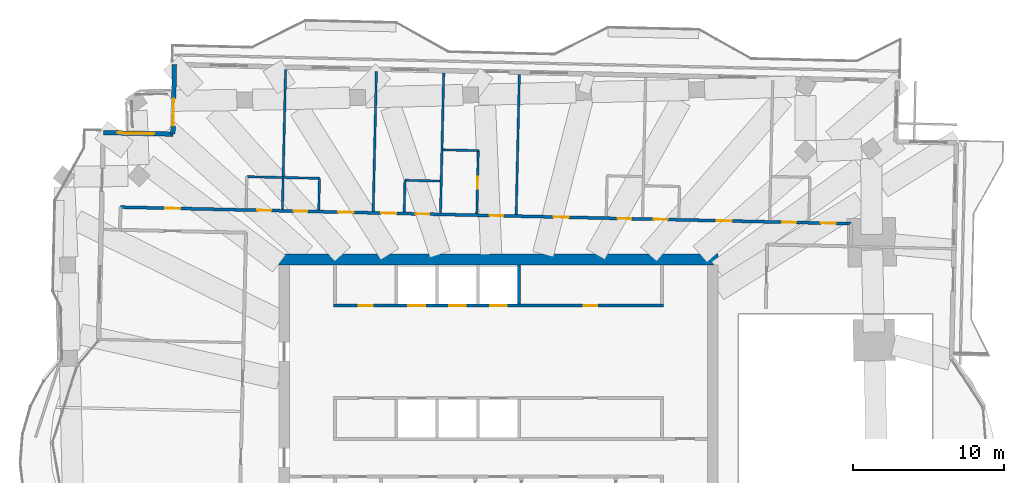
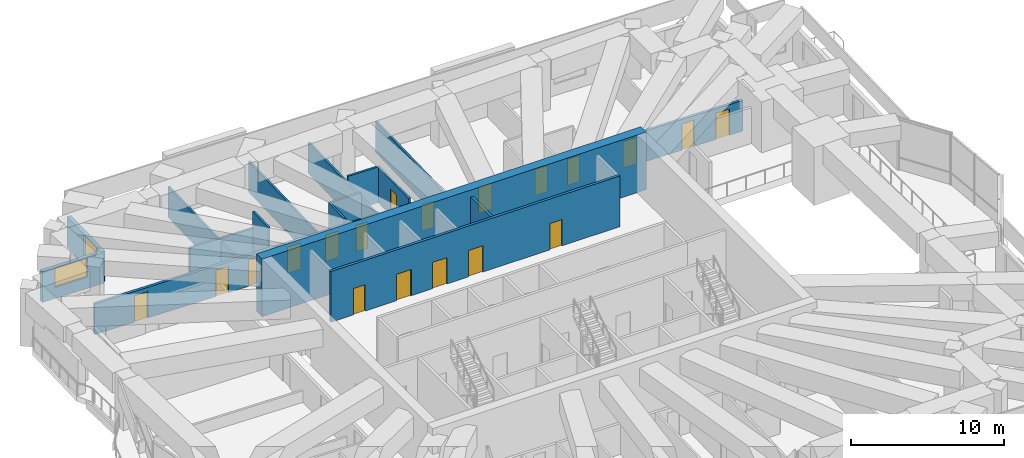
# One storey, part 13 of 20: 20 doors, 16 walls, 1 window, 21 openings.
"""IFC4 building model written with IfcOpenShell, lengths in metres."""

from ifc_helpers import new_model, si_unit, direction, frame, frame_2d, origin, place, context, subcontext, project, spatial, rectangle, extrude, material, layer, layer_set, type_object, element, fill, save


model = new_model("IFC4")

# Units and contexts
model_context = context("Model", 3, precision=1e-05, world=origin(), true_north=direction((0.0, 1.0)))
body_context = subcontext(model_context, "Body", "Model", "MODEL_VIEW")
ifc_project = project(units=[si_unit("LENGTHUNIT", "METRE"), si_unit("AREAUNIT", "SQUARE_METRE"), si_unit("VOLUMEUNIT", "CUBIC_METRE"), si_unit("PLANEANGLEUNIT", "RADIAN"), si_unit("MASSUNIT", "GRAM", prefix="KILO")], contexts=[model_context])

# Site, building, storey
site_placement = place(None, origin())
site = spatial("IfcSite", under=ifc_project, at=site_placement, CompositionType="ELEMENT")
building_placement = place(site_placement, origin())
building = spatial("IfcBuilding", under=site, at=building_placement, Name="Mangrove Gate Tower", CompositionType="ELEMENT")
storey_placement = place(building_placement, frame((0.0, 0.0, 252.699951171875)))
storey = spatial("IfcBuildingStorey", under=building, at=storey_placement, Name="L64", CompositionType="ELEMENT", Elevation=252.699951171875)

# Wall, openings, doors
ifc_material_1 = material(Name="Concrete C60/75", Category="concrete")
ifc_layer_1 = layer(ifc_material_1, 0.199951171875)
ifc_layer_set_1 = layer_set([ifc_layer_1], Name="Core shaft wall 200 C60/75")
wall_type_1 = type_object("IfcWallType", Name="Core shaft wall 200 C60/75", PredefinedType="SHEAR", material=ifc_layer_set_1)
wall_1_placement = place(storey_placement, frame((-10.89990234375, 8.10009765625, 0.0), z_axis=(0.0, 0.0, 1.0), x_axis=(1.0, 0.0, 0.0)))
wall_1 = element("IfcWall", 1, at=wall_1_placement, inside=storey, type_object=wall_type_1, Name="WALL-L64-CORE-8", PredefinedType="SHEAR", context=body_context, shape_type="SweptSolid", body=[
    extrude(rectangle(XDim=21.7998046875, YDim=0.199951171875, at=frame_2d((10.89990234375, 0.0))), origin(), (0.0, 0.0, 1.0), 4.050048828125),
])
opening_1_placement = place(wall_1_placement, frame((4.949951171875, 0.0, 0.0)))
opening_1 = element("IfcOpeningElement", 2, at=opening_1_placement, cuts=wall_1, Name="Opening LD", PredefinedType="OPENING", context=body_context, shape_type="SweptSolid", body=[
    extrude(rectangle(XDim=1.10009765625, YDim=2.10009765625, at=frame_2d((0.550048828125, 1.050048828125))), frame((0.0, 0.10986328125, 0.0), z_axis=(0.0, -1.0, 0.0), x_axis=(1.0, 0.0, 0.0)), (0.0, 0.0, 1.0), 0.219970703125),
])
opening_2_placement = place(wall_1_placement, frame((7.64990234375, 0.0, 0.0)))
opening_2 = element("IfcOpeningElement", 3, at=opening_2_placement, cuts=wall_1, Name="Opening LD", PredefinedType="OPENING", context=body_context, shape_type="SweptSolid", body=[
    extrude(rectangle(XDim=1.10009765625, YDim=2.10009765625, at=frame_2d((0.550048828125, 1.050048828125))), frame((0.0, 0.10986328125, 0.0), z_axis=(0.0, -1.0, 0.0), x_axis=(1.0, 0.0, 0.0)), (0.0, 0.0, 1.0), 0.219970703125),
])
opening_3_placement = place(wall_1_placement, frame((10.35009765625, 0.0, 0.0)))
opening_3 = element("IfcOpeningElement", 4, at=opening_3_placement, cuts=wall_1, Name="Opening LD", PredefinedType="OPENING", context=body_context, shape_type="SweptSolid", body=[
    extrude(rectangle(XDim=1.10009765625, YDim=2.10009765625, at=frame_2d((0.550048828125, 1.050048828125))), frame((0.0, 0.10986328125, 0.0), z_axis=(0.0, -1.0, 0.0), x_axis=(1.0, 0.0, 0.0)), (0.0, 0.0, 1.0), 0.219970703125),
])
opening_4_placement = place(wall_1_placement, frame((1.675048828125, 0.0, 0.0)))
opening_4 = element("IfcOpeningElement", 5, at=opening_4_placement, cuts=wall_1, Name="Opening RD", PredefinedType="OPENING", context=body_context, shape_type="SweptSolid", body=[
    extrude(rectangle(XDim=0.89990234375, YDim=2.10009765625, at=frame_2d((0.449951171875, 1.050048828125))), frame((0.0, 0.10986328125, 0.0), z_axis=(0.0, -1.0, 0.0), x_axis=(1.0, 0.0, 0.0)), (0.0, 0.0, 1.0), 0.219970703125),
])
opening_5_placement = place(wall_1_placement, frame((16.52490234375, 0.0, 0.0)))
opening_5 = element("IfcOpeningElement", 6, at=opening_5_placement, cuts=wall_1, Name="Opening KD", PredefinedType="OPENING", context=body_context, shape_type="SweptSolid", body=[
    extrude(rectangle(XDim=0.89990234375, YDim=2.10009765625, at=frame_2d((0.449951171875, 1.050048828125))), frame((0.0, 0.10986328125, 0.0), z_axis=(0.0, -1.0, 0.0), x_axis=(1.0, 0.0, 0.0)), (0.0, 0.0, 1.0), 0.219970703125),
])
ifc_material_2 = material(Name="Fire-rated steel door set", Category="steel")
door_type_1 = type_object("IfcDoorType", Name="Core room door FD30S 900x2100", OperationType="SINGLE_SWING_RIGHT", PredefinedType="DOOR", material=ifc_material_2)
door_1_placement = place(opening_5_placement, origin())
door_1 = element("IfcDoor", 7, at=door_1_placement, inside=storey, type_object=door_type_1, Name="Core room door Core WC", OperationType="SINGLE_SWING_RIGHT", OverallHeight=2.10009765625, OverallWidth=0.89990234375, PredefinedType="DOOR", context=body_context, shape_type="SweptSolid", body=[
    extrude(rectangle(XDim=0.89990234375, YDim=2.10009765625, at=frame_2d((0.449951171875, 1.050048828125))), frame((0.0, 0.02490234375, 0.0), z_axis=(0.0, -1.0, 0.0), x_axis=(1.0, 0.0, 0.0)), (0.0, 0.0, 1.0), 0.050048828125),
])
fill(opening_5, door_1)
ifc_material_3 = material(Name="Stainless steel 316", Category="steel")
door_type_2 = type_object("IfcDoorType", Name="Lift landing door 1100x2100", OperationType="SLIDING_TO_LEFT", PredefinedType="DOOR", material=ifc_material_3)
door_2_placement = place(opening_1_placement, origin())
door_2 = element("IfcDoor", 8, at=door_2_placement, inside=storey, type_object=door_type_2, Name="Landing door LD H04", OperationType="SLIDING_TO_LEFT", OverallHeight=2.10009765625, OverallWidth=1.10009765625, PredefinedType="DOOR", context=body_context, shape_type="SweptSolid", body=[
    extrude(rectangle(XDim=1.10009765625, YDim=2.10009765625, at=frame_2d((0.550048828125, 1.050048828125))), frame((0.0, 0.02490234375, 0.0), z_axis=(0.0, -1.0, 0.0), x_axis=(1.0, 0.0, 0.0)), (0.0, 0.0, 1.0), 0.050048828125),
])
fill(opening_1, door_2)
door_3_placement = place(opening_2_placement, origin())
door_3 = element("IfcDoor", 9, at=door_3_placement, inside=storey, type_object=door_type_2, Name="Landing door LD H05", OperationType="SLIDING_TO_LEFT", OverallHeight=2.10009765625, OverallWidth=1.10009765625, PredefinedType="DOOR", context=body_context, shape_type="SweptSolid", body=[
    extrude(rectangle(XDim=1.10009765625, YDim=2.10009765625, at=frame_2d((0.550048828125, 1.050048828125))), frame((0.0, 0.02490234375, 0.0), z_axis=(0.0, -1.0, 0.0), x_axis=(1.0, 0.0, 0.0)), (0.0, 0.0, 1.0), 0.050048828125),
])
fill(opening_2, door_3)
door_4_placement = place(opening_3_placement, origin())
door_4 = element("IfcDoor", 10, at=door_4_placement, inside=storey, type_object=door_type_2, Name="Landing door LD H06", OperationType="SLIDING_TO_LEFT", OverallHeight=2.10009765625, OverallWidth=1.10009765625, PredefinedType="DOOR", context=body_context, shape_type="SweptSolid", body=[
    extrude(rectangle(XDim=1.10009765625, YDim=2.10009765625, at=frame_2d((0.550048828125, 1.050048828125))), frame((0.0, 0.02490234375, 0.0), z_axis=(0.0, -1.0, 0.0), x_axis=(1.0, 0.0, 0.0)), (0.0, 0.0, 1.0), 0.050048828125),
])
fill(opening_3, door_4)
ifc_material_4 = material(Name="Fire-rated steel door set", Category="steel")
door_type_3 = type_object("IfcDoorType", Name="Riser door FD30S 900x2100", OperationType="SINGLE_SWING_LEFT", PredefinedType="DOOR", material=ifc_material_4)
door_5_placement = place(opening_4_placement, origin())
door_5 = element("IfcDoor", 11, at=door_5_placement, inside=storey, type_object=door_type_3, Name="Riser door Comms room", OperationType="SINGLE_SWING_LEFT", OverallHeight=2.10009765625, OverallWidth=0.89990234375, PredefinedType="DOOR", context=body_context, shape_type="SweptSolid", body=[
    extrude(rectangle(XDim=0.89990234375, YDim=2.10009765625, at=frame_2d((0.449951171875, 1.050048828125))), frame((0.0, 0.02490234375, 0.0), z_axis=(0.0, -1.0, 0.0), x_axis=(1.0, 0.0, 0.0)), (0.0, 0.0, 1.0), 0.050048828125),
])
fill(opening_4, door_5)

# Walls
wall_2_placement = place(storey_placement, frame((1.35009765625, 8.199951171875, 0.0), z_axis=(0.0, 0.0, 1.0), x_axis=(0.0, 1.0, 0.0)))
element("IfcWall", 12, at=wall_2_placement, inside=storey, type_object=wall_type_1, Name="WALL-L64-CORE-29", PredefinedType="SHEAR", context=body_context, shape_type="SweptSolid", body=[
    extrude(rectangle(XDim=2.60009765625, YDim=0.199951171875, at=frame_2d((1.300048828125, 0.0))), origin(), (0.0, 0.0, 1.0), 4.050048828125),
])
ifc_material_5 = material(Name="Concrete C60/75", Category="concrete")
ifc_layer_2 = layer(ifc_material_5, 0.699951171875)
ifc_layer_set_2 = layer_set([ifc_layer_2], Name="Core wall 700 C60/75")
wall_type_2 = type_object("IfcWallType", Name="Core wall 700 C60/75", PredefinedType="SHEAR", material=ifc_layer_set_2)
wall_3_placement = place(storey_placement, frame((-14.5, 11.14990234375, 0.0), z_axis=(0.0, 0.0, 1.0), x_axis=(1.0, 0.0, 0.0)))
element("IfcWall", 13, at=wall_3_placement, inside=storey, type_object=wall_type_2, Name="WALL-L64-CORE-2", PredefinedType="SHEAR", context=body_context, shape_type="SweptSolid", body=[
    extrude(rectangle(XDim=29.0, YDim=0.699951171875, at=frame_2d((14.5, 0.0))), origin(), (0.0, 0.0, 1.0), 4.60009765625),
])

# Wall, openings, doors
ifc_material_6 = material(Name="Gypsum board on steel stud, EI 60", Category="steel")
ifc_layer_3 = layer(ifc_material_6, 0.199951171875)
ifc_layer_set_3 = layer_set([ifc_layer_3], Name="Corridor wall EI 60")
wall_type_3 = type_object("IfcWallType", Name="Corridor wall EI 60", PredefinedType="PARTITIONING", material=ifc_layer_set_3)
wall_4_placement = place(storey_placement, frame((-24.97412109375, 14.60693359375, 0.0), z_axis=(0.0, 0.0, 1.0), x_axis=(0.999742823946, -0.02267787398, 0.0)))
wall_4 = element("IfcWall", 14, at=wall_4_placement, inside=storey, type_object=wall_type_3, Name="WALL-L64-041", PredefinedType="PARTITIONING", context=body_context, shape_type="SweptSolid", body=[
    extrude(rectangle(XDim=48.28369140625, YDim=0.199951171875, at=frame_2d((24.141845703125, 0.0))), origin(), (0.0, 0.0, 1.0), 2.449951171875),
])
opening_6_placement = place(wall_4_placement, frame((46.282958984375, 0.0, 0.0)))
opening_6 = element("IfcOpeningElement", 15, at=opening_6_placement, cuts=wall_4, Name="Opening AD", PredefinedType="OPENING", context=body_context, shape_type="SweptSolid", body=[
    extrude(rectangle(XDim=1.0, YDim=2.10009765625, at=frame_2d((0.5, 1.050048828125))), frame((0.0, 0.10986328125, 0.0), z_axis=(0.0, -1.0, 0.0), x_axis=(1.0, 0.0, 0.0)), (0.0, 0.0, 1.0), 0.219970703125),
])
opening_7_placement = place(wall_4_placement, frame((43.75, 0.0, 0.0)))
opening_7 = element("IfcOpeningElement", 16, at=opening_7_placement, cuts=wall_4, Name="Opening SD", PredefinedType="OPENING", context=body_context, shape_type="SweptSolid", body=[
    extrude(rectangle(XDim=0.89990234375, YDim=2.10009765625, at=frame_2d((0.449951171875, 1.050048828125))), frame((0.0, 0.10986328125, 0.0), z_axis=(0.0, -1.0, 0.0), x_axis=(1.0, 0.0, 0.0)), (0.0, 0.0, 1.0), 0.219970703125),
])
opening_8_placement = place(wall_4_placement, frame((39.39990234375, 0.0, 0.0)))
opening_8 = element("IfcOpeningElement", 17, at=opening_8_placement, cuts=wall_4, Name="Opening AD", PredefinedType="OPENING", context=body_context, shape_type="SweptSolid", body=[
    extrude(rectangle(XDim=1.0, YDim=2.10009765625, at=frame_2d((0.5, 1.050048828125))), frame((0.0, 0.10986328125, 0.0), z_axis=(0.0, -1.0, 0.0), x_axis=(1.0, 0.0, 0.0)), (0.0, 0.0, 1.0), 0.219970703125),
])
opening_9_placement = place(wall_4_placement, frame((35.25, 0.0, 0.0)))
opening_9 = element("IfcOpeningElement", 18, at=opening_9_placement, cuts=wall_4, Name="Opening SD", PredefinedType="OPENING", context=body_context, shape_type="SweptSolid", body=[
    extrude(rectangle(XDim=0.89990234375, YDim=2.10009765625, at=frame_2d((0.449951171875, 1.050048828125))), frame((0.0, 0.10986328125, 0.0), z_axis=(0.0, -1.0, 0.0), x_axis=(1.0, 0.0, 0.0)), (0.0, 0.0, 1.0), 0.219970703125),
])
opening_10_placement = place(wall_4_placement, frame((28.625, 0.0, 0.0)))
opening_10 = element("IfcOpeningElement", 19, at=opening_10_placement, cuts=wall_4, Name="Opening AD", PredefinedType="OPENING", context=body_context, shape_type="SweptSolid", body=[
    extrude(rectangle(XDim=1.0, YDim=2.10009765625, at=frame_2d((0.5, 1.050048828125))), frame((0.0, 0.10986328125, 0.0), z_axis=(0.0, -1.0, 0.0), x_axis=(1.0, 0.0, 0.0)), (0.0, 0.0, 1.0), 0.219970703125),
])
opening_11_placement = place(wall_4_placement, frame((32.85009765625, 0.0, 0.0)))
opening_11 = element("IfcOpeningElement", 20, at=opening_11_placement, cuts=wall_4, Name="Opening SD", PredefinedType="OPENING", context=body_context, shape_type="SweptSolid", body=[
    extrude(rectangle(XDim=0.89990234375, YDim=2.10009765625, at=frame_2d((0.449951171875, 1.050048828125))), frame((0.0, 0.10986328125, 0.0), z_axis=(0.0, -1.0, 0.0), x_axis=(1.0, 0.0, 0.0)), (0.0, 0.0, 1.0), 0.219970703125),
])
opening_12_placement = place(wall_4_placement, frame((24.39990234375, 0.0, 0.0)))
opening_12 = element("IfcOpeningElement", 21, at=opening_12_placement, cuts=wall_4, Name="Opening BD", PredefinedType="OPENING", context=body_context, shape_type="SweptSolid", body=[
    extrude(rectangle(XDim=0.89990234375, YDim=2.10009765625, at=frame_2d((0.449951171875, 1.050048828125))), frame((0.0, 0.10986328125, 0.0), z_axis=(0.0, -1.0, 0.0), x_axis=(1.0, 0.0, 0.0)), (0.0, 0.0, 1.0), 0.219970703125),
])
opening_13_placement = place(wall_4_placement, frame((17.22509765625, 0.0, 0.0)))
opening_13 = element("IfcOpeningElement", 22, at=opening_13_placement, cuts=wall_4, Name="Opening AD", PredefinedType="OPENING", context=body_context, shape_type="SweptSolid", body=[
    extrude(rectangle(XDim=1.0, YDim=2.10009765625, at=frame_2d((0.5, 1.050048828125))), frame((0.0, 0.10986328125, 0.0), z_axis=(0.0, -1.0, 0.0), x_axis=(1.0, 0.0, 0.0)), (0.0, 0.0, 1.0), 0.219970703125),
])
opening_14_placement = place(wall_4_placement, frame((19.5, 0.0, 0.0)))
opening_14 = element("IfcOpeningElement", 23, at=opening_14_placement, cuts=wall_4, Name="Opening SD", PredefinedType="OPENING", context=body_context, shape_type="SweptSolid", body=[
    extrude(rectangle(XDim=0.89990234375, YDim=2.10009765625, at=frame_2d((0.449951171875, 1.050048828125))), frame((0.0, 0.10986328125, 0.0), z_axis=(0.0, -1.0, 0.0), x_axis=(1.0, 0.0, 0.0)), (0.0, 0.0, 1.0), 0.219970703125),
])
opening_15_placement = place(wall_4_placement, frame((14.39990234375, 0.0, 0.0)))
opening_15 = element("IfcOpeningElement", 24, at=opening_15_placement, cuts=wall_4, Name="Opening AD", PredefinedType="OPENING", context=body_context, shape_type="SweptSolid", body=[
    extrude(rectangle(XDim=1.0, YDim=2.10009765625, at=frame_2d((0.5, 1.050048828125))), frame((0.0, 0.10986328125, 0.0), z_axis=(0.0, -1.0, 0.0), x_axis=(1.0, 0.0, 0.0)), (0.0, 0.0, 1.0), 0.219970703125),
])
opening_16_placement = place(wall_4_placement, frame((11.449951171875, 0.0, 0.0)))
opening_16 = element("IfcOpeningElement", 25, at=opening_16_placement, cuts=wall_4, Name="Opening SD", PredefinedType="OPENING", context=body_context, shape_type="SweptSolid", body=[
    extrude(rectangle(XDim=0.89990234375, YDim=2.10009765625, at=frame_2d((0.449951171875, 1.050048828125))), frame((0.0, 0.10986328125, 0.0), z_axis=(0.0, -1.0, 0.0), x_axis=(1.0, 0.0, 0.0)), (0.0, 0.0, 1.0), 0.219970703125),
])
opening_17_placement = place(wall_4_placement, frame((2.949951171875, 0.0, 0.0)))
opening_17 = element("IfcOpeningElement", 26, at=opening_17_placement, cuts=wall_4, Name="Opening AD", PredefinedType="OPENING", context=body_context, shape_type="SweptSolid", body=[
    extrude(rectangle(XDim=1.0, YDim=2.10009765625, at=frame_2d((0.5, 1.050048828125))), frame((0.0, 0.10986328125, 0.0), z_axis=(0.0, -1.0, 0.0), x_axis=(1.0, 0.0, 0.0)), (0.0, 0.0, 1.0), 0.219970703125),
])
opening_18_placement = place(wall_4_placement, frame((9.050048828125, 0.0, 0.0)))
opening_18 = element("IfcOpeningElement", 27, at=opening_18_placement, cuts=wall_4, Name="Opening SD", PredefinedType="OPENING", context=body_context, shape_type="SweptSolid", body=[
    extrude(rectangle(XDim=0.89990234375, YDim=2.10009765625, at=frame_2d((0.449951171875, 1.050048828125))), frame((0.0, 0.10986328125, 0.0), z_axis=(0.0, -1.0, 0.0), x_axis=(1.0, 0.0, 0.0)), (0.0, 0.0, 1.0), 0.219970703125),
])
ifc_material_7 = material(Name="Timber door leaf", Category="wood")
door_type_4 = type_object("IfcDoorType", Name="Amenity door 1000", OperationType="SINGLE_SWING_LEFT", PredefinedType="DOOR", material=ifc_material_7)
door_6_placement = place(opening_6_placement, origin())
door_6 = element("IfcDoor", 28, at=door_6_placement, inside=storey, type_object=door_type_4, Name="DOOR-L64-LNG-c4b", OperationType="SINGLE_SWING_LEFT", OverallHeight=2.10009765625, OverallWidth=1.0, PredefinedType="DOOR", context=body_context, shape_type="SweptSolid", body=[
    extrude(rectangle(XDim=1.0, YDim=2.10009765625, at=frame_2d((0.5, 1.050048828125))), frame((0.0, 0.02490234375, 0.0), z_axis=(0.0, -1.0, 0.0), x_axis=(1.0, 0.0, 0.0)), (0.0, 0.0, 1.0), 0.050048828125),
])
fill(opening_6, door_6)
door_7_placement = place(opening_8_placement, origin())
door_7 = element("IfcDoor", 29, at=door_7_placement, inside=storey, type_object=door_type_4, Name="DOOR-L64-LNG-c4c", OperationType="SINGLE_SWING_RIGHT", OverallHeight=2.10009765625, OverallWidth=1.0, PredefinedType="DOOR", context=body_context, shape_type="SweptSolid", body=[
    extrude(rectangle(XDim=1.0, YDim=2.10009765625, at=frame_2d((0.5, 1.050048828125))), frame((0.0, 0.02490234375, 0.0), z_axis=(0.0, -1.0, 0.0), x_axis=(1.0, 0.0, 0.0)), (0.0, 0.0, 1.0), 0.050048828125),
])
fill(opening_8, door_7)
door_8_placement = place(opening_10_placement, origin())
door_8 = element("IfcDoor", 30, at=door_8_placement, inside=storey, type_object=door_type_4, Name="DOOR-L64-LNG-c4d", OperationType="SINGLE_SWING_LEFT", OverallHeight=2.10009765625, OverallWidth=1.0, PredefinedType="DOOR", context=body_context, shape_type="SweptSolid", body=[
    extrude(rectangle(XDim=1.0, YDim=2.10009765625, at=frame_2d((0.5, 1.050048828125))), frame((0.0, 0.02490234375, 0.0), z_axis=(0.0, -1.0, 0.0), x_axis=(1.0, 0.0, 0.0)), (0.0, 0.0, 1.0), 0.050048828125),
])
fill(opening_10, door_8)
door_9_placement = place(opening_13_placement, origin())
door_9 = element("IfcDoor", 31, at=door_9_placement, inside=storey, type_object=door_type_4, Name="DOOR-L64-STU-c5a", OperationType="SINGLE_SWING_RIGHT", OverallHeight=2.10009765625, OverallWidth=1.0, PredefinedType="DOOR", context=body_context, shape_type="SweptSolid", body=[
    extrude(rectangle(XDim=1.0, YDim=2.10009765625, at=frame_2d((0.5, 1.050048828125))), frame((0.0, 0.02490234375, 0.0), z_axis=(0.0, -1.0, 0.0), x_axis=(1.0, 0.0, 0.0)), (0.0, 0.0, 1.0), 0.050048828125),
])
fill(opening_13, door_9)
door_10_placement = place(opening_15_placement, origin())
door_10 = element("IfcDoor", 32, at=door_10_placement, inside=storey, type_object=door_type_4, Name="DOOR-L64-KIT-c5a", OperationType="SINGLE_SWING_LEFT", OverallHeight=2.10009765625, OverallWidth=1.0, PredefinedType="DOOR", context=body_context, shape_type="SweptSolid", body=[
    extrude(rectangle(XDim=1.0, YDim=2.10009765625, at=frame_2d((0.5, 1.050048828125))), frame((0.0, 0.02490234375, 0.0), z_axis=(0.0, -1.0, 0.0), x_axis=(1.0, 0.0, 0.0)), (0.0, 0.0, 1.0), 0.050048828125),
])
fill(opening_15, door_10)
door_11_placement = place(opening_17_placement, origin())
door_11 = element("IfcDoor", 33, at=door_11_placement, inside=storey, type_object=door_type_4, Name="DOOR-L64-GAM-c5a", OperationType="SINGLE_SWING_RIGHT", OverallHeight=2.10009765625, OverallWidth=1.0, PredefinedType="DOOR", context=body_context, shape_type="SweptSolid", body=[
    extrude(rectangle(XDim=1.0, YDim=2.10009765625, at=frame_2d((0.5, 1.050048828125))), frame((0.0, 0.02490234375, 0.0), z_axis=(0.0, -1.0, 0.0), x_axis=(1.0, 0.0, 0.0)), (0.0, 0.0, 1.0), 0.050048828125),
])
fill(opening_17, door_11)
ifc_material_8 = material(Name="Timber door leaf", Category="wood")
door_type_5 = type_object("IfcDoorType", Name="Bedroom door 900", OperationType="SINGLE_SWING_LEFT", PredefinedType="DOOR", material=ifc_material_8)
door_12_placement = place(opening_12_placement, origin())
door_12 = element("IfcDoor", 34, at=door_12_placement, inside=storey, type_object=door_type_5, Name="DOOR-L64-BED-c405", OperationType="SINGLE_SWING_LEFT", OverallHeight=2.10009765625, OverallWidth=0.89990234375, PredefinedType="DOOR", context=body_context, shape_type="SweptSolid", body=[
    extrude(rectangle(XDim=0.89990234375, YDim=2.10009765625, at=frame_2d((0.449951171875, 1.050048828125))), frame((0.0, 0.02490234375, 0.0), z_axis=(0.0, -1.0, 0.0), x_axis=(1.0, 0.0, 0.0)), (0.0, 0.0, 1.0), 0.050048828125),
])
fill(opening_12, door_12)
ifc_material_9 = material(Name="Timber door leaf", Category="wood")
door_type_6 = type_object("IfcDoorType", Name="Service room door 900", OperationType="SINGLE_SWING_LEFT", PredefinedType="DOOR", material=ifc_material_9)
door_13_placement = place(opening_7_placement, origin())
door_13 = element("IfcDoor", 35, at=door_13_placement, inside=storey, type_object=door_type_6, Name="DOOR-L64-AWC-c4b", OperationType="SINGLE_SWING_LEFT", OverallHeight=2.10009765625, OverallWidth=0.89990234375, PredefinedType="DOOR", context=body_context, shape_type="SweptSolid", body=[
    extrude(rectangle(XDim=0.89990234375, YDim=2.10009765625, at=frame_2d((0.449951171875, 1.050048828125))), frame((0.0, 0.02490234375, 0.0), z_axis=(0.0, -1.0, 0.0), x_axis=(1.0, 0.0, 0.0)), (0.0, 0.0, 1.0), 0.050048828125),
])
fill(opening_7, door_13)
door_14_placement = place(opening_9_placement, origin())
door_14 = element("IfcDoor", 36, at=door_14_placement, inside=storey, type_object=door_type_6, Name="DOOR-L64-LIN-c4a", OperationType="SINGLE_SWING_RIGHT", OverallHeight=2.10009765625, OverallWidth=0.89990234375, PredefinedType="DOOR", context=body_context, shape_type="SweptSolid", body=[
    extrude(rectangle(XDim=0.89990234375, YDim=2.10009765625, at=frame_2d((0.449951171875, 1.050048828125))), frame((0.0, 0.02490234375, 0.0), z_axis=(0.0, -1.0, 0.0), x_axis=(1.0, 0.0, 0.0)), (0.0, 0.0, 1.0), 0.050048828125),
])
fill(opening_9, door_14)
door_15_placement = place(opening_11_placement, origin())
door_15 = element("IfcDoor", 37, at=door_15_placement, inside=storey, type_object=door_type_6, Name="DOOR-L64-WC-c4a", OperationType="SINGLE_SWING_LEFT", OverallHeight=2.10009765625, OverallWidth=0.89990234375, PredefinedType="DOOR", context=body_context, shape_type="SweptSolid", body=[
    extrude(rectangle(XDim=0.89990234375, YDim=2.10009765625, at=frame_2d((0.449951171875, 1.050048828125))), frame((0.0, 0.02490234375, 0.0), z_axis=(0.0, -1.0, 0.0), x_axis=(1.0, 0.0, 0.0)), (0.0, 0.0, 1.0), 0.050048828125),
])
fill(opening_11, door_15)
door_16_placement = place(opening_14_placement, origin())
door_16 = element("IfcDoor", 38, at=door_16_placement, inside=storey, type_object=door_type_6, Name="DOOR-L64-LIN-c5a", OperationType="SINGLE_SWING_RIGHT", OverallHeight=2.10009765625, OverallWidth=0.89990234375, PredefinedType="DOOR", context=body_context, shape_type="SweptSolid", body=[
    extrude(rectangle(XDim=0.89990234375, YDim=2.10009765625, at=frame_2d((0.449951171875, 1.050048828125))), frame((0.0, 0.02490234375, 0.0), z_axis=(0.0, -1.0, 0.0), x_axis=(1.0, 0.0, 0.0)), (0.0, 0.0, 1.0), 0.050048828125),
])
fill(opening_14, door_16)
door_17_placement = place(opening_16_placement, origin())
door_17 = element("IfcDoor", 39, at=door_17_placement, inside=storey, type_object=door_type_6, Name="DOOR-L64-LIN-c5b", OperationType="SINGLE_SWING_LEFT", OverallHeight=2.10009765625, OverallWidth=0.89990234375, PredefinedType="DOOR", context=body_context, shape_type="SweptSolid", body=[
    extrude(rectangle(XDim=0.89990234375, YDim=2.10009765625, at=frame_2d((0.449951171875, 1.050048828125))), frame((0.0, 0.02490234375, 0.0), z_axis=(0.0, -1.0, 0.0), x_axis=(1.0, 0.0, 0.0)), (0.0, 0.0, 1.0), 0.050048828125),
])
fill(opening_16, door_17)
door_18_placement = place(opening_18_placement, origin())
door_18 = element("IfcDoor", 40, at=door_18_placement, inside=storey, type_object=door_type_6, Name="DOOR-L64-LIN-c5c", OperationType="SINGLE_SWING_RIGHT", OverallHeight=2.10009765625, OverallWidth=0.89990234375, PredefinedType="DOOR", context=body_context, shape_type="SweptSolid", body=[
    extrude(rectangle(XDim=0.89990234375, YDim=2.10009765625, at=frame_2d((0.449951171875, 1.050048828125))), frame((0.0, 0.02490234375, 0.0), z_axis=(0.0, -1.0, 0.0), x_axis=(1.0, 0.0, 0.0)), (0.0, 0.0, 1.0), 0.050048828125),
])
fill(opening_18, door_18)

# Wall, opening, door
ifc_material_10 = material(Name="Limestone", Category="masonry")
ifc_layer_4 = layer(ifc_material_10, 0.0400390625, Name="Limestone cladding")
ifc_material_11 = material(Name="Ventilated air gap")
ifc_layer_5 = layer(ifc_material_11, 0.0400390625, Name="Ventilated cavity")
ifc_material_12 = material(Name="Mineral wool insulation")
ifc_layer_6 = layer(ifc_material_12, 0.06005859375, Name="Insulation")
ifc_material_13 = material(Name="Breather membrane")
ifc_layer_7 = layer(ifc_material_13, 0.001953125, Name="Breather membrane")
ifc_material_14 = material(Name="Concrete C20/25 blockwork", Category="masonry")
ifc_layer_8 = layer(ifc_material_14, 0.14990234375, Name="Blockwork backing wall")
ifc_material_15 = material(Name="Gypsum plaster")
ifc_layer_9 = layer(ifc_material_15, 0.008056640625, Name="Internal plaster")
ifc_layer_set_4 = layer_set([ifc_layer_4, ifc_layer_5, ifc_layer_6, ifc_layer_7, ifc_layer_8, ifc_layer_9], Name="External wall 300 limestone cladding")
wall_type_4 = type_object("IfcWallType", Name="External wall 300 limestone cladding", PredefinedType="SOLIDWALL", material=ifc_layer_set_4)
wall_5_placement = place(storey_placement, frame((-21.408935546875, 24.029052734375, 0.0), z_axis=(0.0, 0.0, 1.0), x_axis=(-0.022820258049, -0.999739584003, 0.0)))
wall_5 = element("IfcWall", 41, at=wall_5_placement, inside=storey, type_object=wall_type_4, Name="WALL-L64-W6", PredefinedType="SOLIDWALL", context=body_context, shape_type="SweptSolid", body=[
    extrude(rectangle(XDim=4.600341796875, YDim=0.300048828125, at=frame_2d((2.30029296875, 0.0))), origin(), (0.0, 0.0, 1.0), 2.449951171875),
])
opening_19_placement = place(wall_5_placement, frame((2.25, 0.0, 0.0)))
opening_19 = element("IfcOpeningElement", 42, at=opening_19_placement, cuts=wall_5, Name="Opening TD1", PredefinedType="OPENING", context=body_context, shape_type="SweptSolid", body=[
    extrude(rectangle(XDim=1.800048828125, YDim=2.39990234375, at=frame_2d((0.89990234375, 1.199951171875))), frame((0.0, 0.159912109375, 0.0), z_axis=(0.0, -1.0, 0.0), x_axis=(1.0, 0.0, 0.0)), (0.0, 0.0, 1.0), 0.320068359375),
])
ifc_material_16 = material(Name="Aluminium frame with laminated clear glass", Category="aluminium")
door_type_7 = type_object("IfcDoorType", Name="Terrace door 1800x2400", OperationType="DOUBLE_DOOR_SINGLE_SWING", PredefinedType="DOOR", material=ifc_material_16)
door_19_placement = place(opening_19_placement, origin())
door_19 = element("IfcDoor", 43, at=door_19_placement, inside=storey, type_object=door_type_7, Name="DOOR-L64-W6-1", OperationType="DOUBLE_DOOR_SINGLE_SWING", OverallHeight=2.39990234375, OverallWidth=1.800048828125, PredefinedType="DOOR", context=body_context, shape_type="SweptSolid", body=[
    extrude(rectangle(XDim=1.800048828125, YDim=2.39990234375, at=frame_2d((0.89990234375, 1.199951171875))), frame((0.0, 0.02490234375, 0.0), z_axis=(0.0, -1.0, 0.0), x_axis=(1.0, 0.0, 0.0)), (0.0, 0.0, 1.0), 0.050048828125),
])
fill(opening_19, door_19)

# Wall, opening, window
wall_6_placement = place(storey_placement, frame((-21.513916015625, 19.429931640625, 0.0), z_axis=(0.0, 0.0, 1.0), x_axis=(-0.999744404568, 0.02260808559, 0.0)))
wall_6 = element("IfcWall", 44, at=wall_6_placement, inside=storey, type_object=wall_type_4, Name="WALL-L64-N7", PredefinedType="SOLIDWALL", context=body_context, shape_type="SweptSolid", body=[
    extrude(rectangle(XDim=4.600341796875, YDim=0.300048828125, at=frame_2d((2.30029296875, 0.0))), origin(), (0.0, 0.0, 1.0), 2.449951171875),
])
opening_20_placement = place(wall_6_placement, frame((1.25, 0.0, 0.89990234375)))
opening_20 = element("IfcOpeningElement", 45, at=opening_20_placement, cuts=wall_6, Name="Opening W2", PredefinedType="OPENING", context=body_context, shape_type="SweptSolid", body=[
    extrude(rectangle(XDim=2.39990234375, YDim=1.5, at=frame_2d((1.199951171875, 0.75))), frame((0.0, 0.159912109375, 0.0), z_axis=(0.0, -1.0, 0.0), x_axis=(1.0, 0.0, 0.0)), (0.0, 0.0, 1.0), 0.320068359375),
])
ifc_material_17 = material(Name="Aluminium frame with double-glazed low-e glass", Category="aluminium")
window_type = type_object("IfcWindowType", Name="Corner room window 2400x1500", PartitioningType="DOUBLE_PANEL_VERTICAL", PredefinedType="WINDOW", material=ifc_material_17)
window_placement = place(opening_20_placement, origin())
window = element("IfcWindow", 46, at=window_placement, inside=storey, type_object=window_type, Name="WIN-L64-N7-1", OverallHeight=1.5, OverallWidth=2.39990234375, PartitioningType="DOUBLE_PANEL_VERTICAL", PredefinedType="WINDOW", context=body_context, shape_type="SweptSolid", body=[
    extrude(rectangle(XDim=2.39990234375, YDim=1.5, at=frame_2d((1.199951171875, 0.75))), frame((0.0, 0.030029296875, 0.0), z_axis=(0.0, -1.0, 0.0), x_axis=(1.0, 0.0, 0.0)), (0.0, 0.0, 1.0), 0.06005859375),
])
fill(opening_20, window)

# Walls
ifc_material_18 = material(Name="Gypsum board on steel stud, EI 60", Category="steel")
ifc_layer_10 = layer(ifc_material_18, 0.14990234375)
ifc_layer_set_5 = layer_set([ifc_layer_10], Name="Party wall 150 EI 60")
wall_type_5 = type_object("IfcWallType", Name="Party wall 150 EI 60", PredefinedType="PARTITIONING", material=ifc_layer_set_5)
wall_7_placement = place(storey_placement, frame((-14.278076171875, 14.464111328125, 0.0), z_axis=(0.0, 0.0, 1.0), x_axis=(0.022592505393, 0.999744756775, 0.0)))
element("IfcWall", 47, at=wall_7_placement, inside=storey, type_object=wall_type_5, Name="WALL-L64-043", PredefinedType="PARTITIONING", context=body_context, shape_type="SweptSolid", body=[
    extrude(rectangle(XDim=9.250244140625, YDim=0.14990234375, at=frame_2d((4.625, 0.0))), origin(), (0.0, 0.0, 1.0), 2.449951171875),
])
wall_8_placement = place(storey_placement, frame((-11.87890625, 14.409912109375, 0.0), z_axis=(0.0, 0.0, 1.0), x_axis=(0.02279007832, 0.999740272436, 0.0)))
element("IfcWall", 48, at=wall_8_placement, inside=storey, type_object=wall_type_5, Name="WALL-L64-044", PredefinedType="PARTITIONING", context=body_context, shape_type="SweptSolid", body=[
    extrude(rectangle(XDim=2.099609375, YDim=0.14990234375, at=frame_2d((1.0498046875, 0.0))), origin(), (0.0, 0.0, 1.0), 4.050048828125),
])
wall_9_placement = place(storey_placement, frame((-8.280029296875, 14.327880859375, 0.0), z_axis=(0.0, 0.0, 1.0), x_axis=(0.022697424684, 0.999742380272, 0.0)))
element("IfcWall", 49, at=wall_9_placement, inside=storey, type_object=wall_type_5, Name="WALL-L64-045", PredefinedType="PARTITIONING", context=body_context, shape_type="SweptSolid", body=[
    extrude(rectangle(XDim=9.25048828125, YDim=0.14990234375, at=frame_2d((4.625244140625, 0.0))), origin(), (0.0, 0.0, 1.0), 2.449951171875),
])
wall_10_placement = place(storey_placement, frame((-6.23095703125, 14.281982421875, 0.0), z_axis=(0.0, 0.0, 1.0), x_axis=(0.02279007832, 0.999740272436, 0.0)))
element("IfcWall", 50, at=wall_10_placement, inside=storey, type_object=wall_type_5, Name="WALL-L64-046", PredefinedType="PARTITIONING", context=body_context, shape_type="SweptSolid", body=[
    extrude(rectangle(XDim=2.099609375, YDim=0.14990234375, at=frame_2d((1.0498046875, 0.0))), origin(), (0.0, 0.0, 1.0), 2.85009765625),
])
wall_11_placement = place(storey_placement, frame((-3.8310546875, 14.22705078125, 0.0), z_axis=(0.0, 0.0, 1.0), x_axis=(0.022697424684, 0.999742380272, 0.0)))
element("IfcWall", 51, at=wall_11_placement, inside=storey, type_object=wall_type_5, Name="WALL-L64-047", PredefinedType="PARTITIONING", context=body_context, shape_type="SweptSolid", body=[
    extrude(rectangle(XDim=9.25048828125, YDim=0.14990234375, at=frame_2d((4.625244140625, 0.0))), origin(), (0.0, 0.0, 1.0), 2.449951171875),
])

# Wall, opening, door
wall_12_placement = place(storey_placement, frame((-1.431884765625, 14.173095703125, 0.0), z_axis=(0.0, 0.0, 1.0), x_axis=(0.022774601966, 0.999740625115, 0.0)))
wall_12 = element("IfcWall", 52, at=wall_12_placement, inside=storey, type_object=wall_type_5, Name="WALL-L64-048", PredefinedType="PARTITIONING", context=body_context, shape_type="SweptSolid", body=[
    extrude(rectangle(XDim=4.169921875, YDim=0.14990234375, at=frame_2d((2.0849609375, 0.0))), origin(), (0.0, 0.0, 1.0), 2.85009765625),
])
opening_21_placement = place(wall_12_placement, frame((1.635009765625, 0.0, 0.0)))
opening_21 = element("IfcOpeningElement", 53, at=opening_21_placement, cuts=wall_12, Name="Opening ED", PredefinedType="OPENING", context=body_context, shape_type="SweptSolid", body=[
    extrude(rectangle(XDim=0.800048828125, YDim=2.10009765625, at=frame_2d((0.39990234375, 1.050048828125))), frame((0.0, 0.0849609375, 0.0), z_axis=(0.0, -1.0, 0.0), x_axis=(1.0, 0.0, 0.0)), (0.0, 0.0, 1.0), 0.169921875),
])
ifc_material_19 = material(Name="Timber door leaf", Category="wood")
door_type_8 = type_object("IfcDoorType", Name="En-suite door 800", OperationType="SINGLE_SWING_LEFT", PredefinedType="DOOR", material=ifc_material_19)
door_20_placement = place(opening_21_placement, origin())
door_20 = element("IfcDoor", 54, at=door_20_placement, inside=storey, type_object=door_type_8, Name="DOOR-L64-ENS-c405", OperationType="SINGLE_SWING_LEFT", OverallHeight=2.10009765625, OverallWidth=0.800048828125, PredefinedType="DOOR", context=body_context, shape_type="SweptSolid", body=[
    extrude(rectangle(XDim=0.800048828125, YDim=2.10009765625, at=frame_2d((0.39990234375, 1.050048828125))), frame((0.0, 0.02490234375, 0.0), z_axis=(0.0, -1.0, 0.0), x_axis=(1.0, 0.0, 0.0)), (0.0, 0.0, 1.0), 0.050048828125),
])
fill(opening_21, door_20)

# Walls
wall_13_placement = place(storey_placement, frame((1.16796875, 14.114013671875, 0.0), z_axis=(0.0, 0.0, 1.0), x_axis=(0.022591909275, 0.999744770247, 0.0)))
element("IfcWall", 55, at=wall_13_placement, inside=storey, type_object=wall_type_5, Name="WALL-L64-049", PredefinedType="PARTITIONING", context=body_context, shape_type="SweptSolid", body=[
    extrude(rectangle(XDim=9.25048828125, YDim=0.14990234375, at=frame_2d((4.625244140625, 0.0))), origin(), (0.0, 0.0, 1.0), 2.449951171875),
])
wall_14_placement = place(storey_placement, frame((-16.6259765625, 16.617919921875, 0.0), z_axis=(0.0, 0.0, 1.0), x_axis=(0.999742701292, -0.022683280499, 0.0)))
element("IfcWall", 56, at=wall_14_placement, inside=storey, type_object=wall_type_5, Name="WALL-L64-055", PredefinedType="PARTITIONING", context=body_context, shape_type="SweptSolid", body=[
    extrude(rectangle(XDim=4.80029296875, YDim=0.14990234375, at=frame_2d((2.400146484375, 0.0))), origin(), (0.0, 0.0, 1.0), 2.75),
])
wall_15_placement = place(storey_placement, frame((-6.178955078125, 16.381103515625, 0.0), z_axis=(0.0, 0.0, 1.0), x_axis=(0.999737862264, -0.022895561926, 0.0)))
element("IfcWall", 57, at=wall_15_placement, inside=storey, type_object=wall_type_5, Name="WALL-L64-056", PredefinedType="PARTITIONING", context=body_context, shape_type="SweptSolid", body=[
    extrude(rectangle(XDim=2.324462890625, YDim=0.14990234375, at=frame_2d((1.162109375, 0.0))), origin(), (0.0, 0.0, 1.0), 2.85009765625),
])
wall_16_placement = place(storey_placement, frame((-3.657958984375, 18.39404296875, 0.0), z_axis=(0.0, 0.0, 1.0), x_axis=(0.999749954681, -0.022361308448, 0.0)))
element("IfcWall", 58, at=wall_16_placement, inside=storey, type_object=wall_type_5, Name="WALL-L64-060", PredefinedType="PARTITIONING", context=body_context, shape_type="SweptSolid", body=[
    extrude(rectangle(XDim=2.325439453125, YDim=0.14990234375, at=frame_2d((1.16259765625, 0.0))), origin(), (0.0, 0.0, 1.0), 2.85009765625),
])

save(model, "model.ifc")
